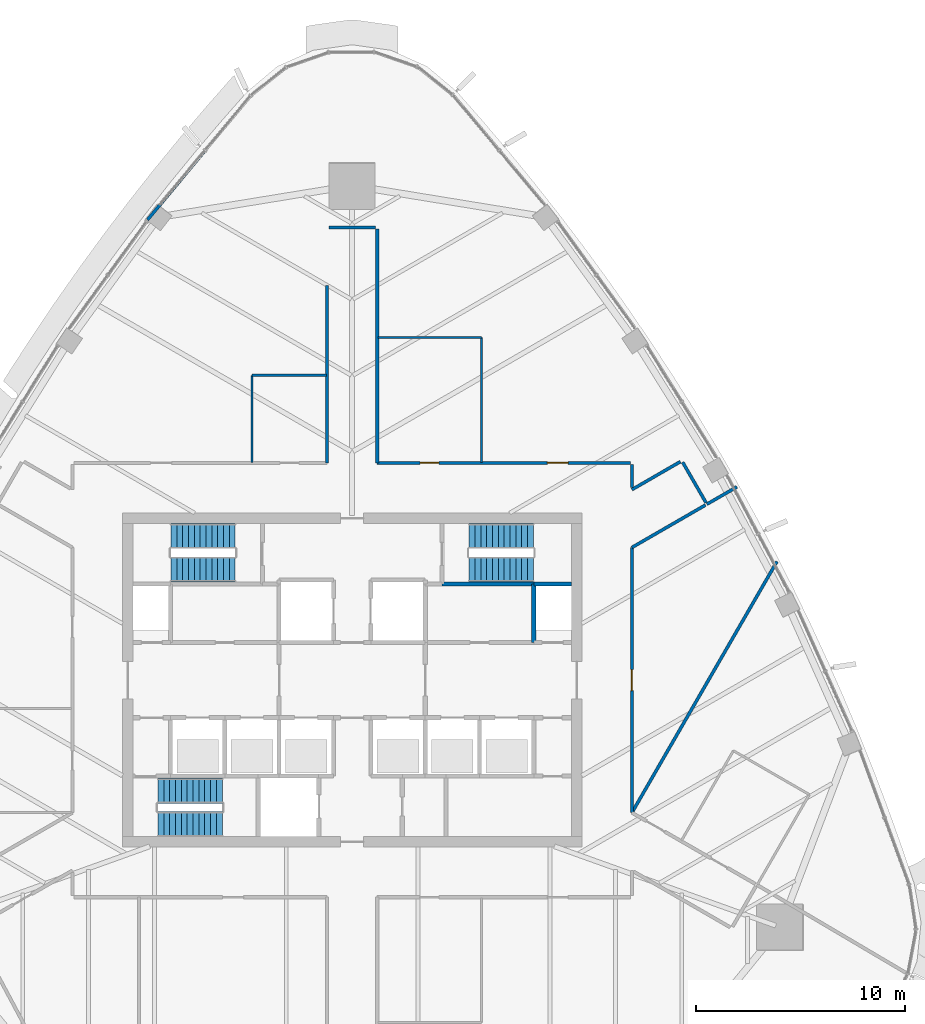
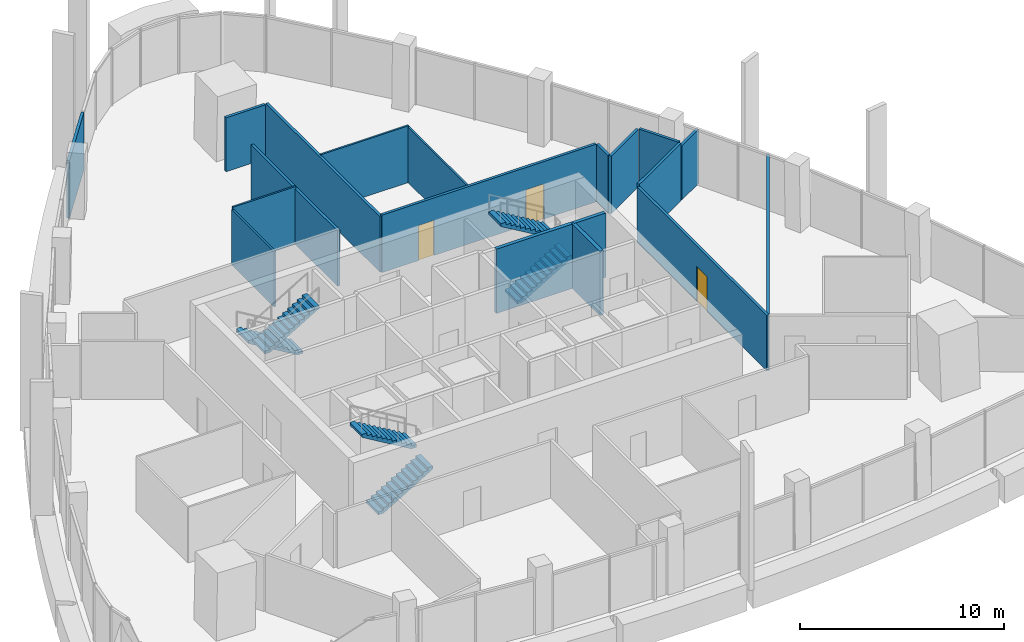
# One storey, part 11 of 19: 19 walls, 6 stair flights, 3 doors, 3 openings, 3 elements without a shape of their own.
"""IFC4 building model written with IfcOpenShell, lengths in metres."""

from ifc_helpers import new_model, si_unit, direction, frame, frame_2d, origin, place, context, subcontext, project, spatial, polyline, rectangle, outline, extrude, material, layer, layer_set, type_object, element, fill, aggregate, save


model = new_model("IFC4")

# Units and contexts
model_context = context("Model", 3, precision=1e-05, world=origin(), true_north=direction((0.0, 1.0)))
body_context = subcontext(model_context, "Body", "Model", "MODEL_VIEW")
ifc_project = project(units=[si_unit("LENGTHUNIT", "METRE"), si_unit("AREAUNIT", "SQUARE_METRE"), si_unit("VOLUMEUNIT", "CUBIC_METRE"), si_unit("PLANEANGLEUNIT", "RADIAN"), si_unit("MASSUNIT", "GRAM", prefix="KILO")], contexts=[model_context])

# Site, building, storey
site_placement = place(None, origin())
site = spatial("IfcSite", under=ifc_project, at=site_placement, CompositionType="ELEMENT")
building_placement = place(site_placement, origin())
building = spatial("IfcBuilding", under=site, at=building_placement, Name="Sierra Prisma Convention Tower", CompositionType="ELEMENT")
storey_placement = place(building_placement, frame((0.0, 0.0, 295.0)))
storey = spatial("IfcBuildingStorey", under=building, at=storey_placement, Name="L67", CompositionType="ELEMENT", Elevation=295.0)

# Walls
ifc_material_1 = material(Name="Gypsum board partition", Category="gypsum")
ifc_layer_1 = layer(ifc_material_1, 0.10009765625)
ifc_layer_set_1 = layer_set([ifc_layer_1], Name="Bathroom partition 100")
wall_type_1 = type_object("IfcWallType", Name="Bathroom partition 100", PredefinedType="PARTITIONING", material=ifc_layer_set_1)
wall_1_placement = place(storey_placement, frame((-4.800048828125, 10.429931640625, 0.0), z_axis=(0.0, 0.0, 1.0), x_axis=(0.0, 1.0, 0.0)))
element("IfcWall", 1, at=wall_1_placement, inside=storey, type_object=wall_type_1, Name="Partition L67 bath 4", PredefinedType="PARTITIONING", context=body_context, shape_type="SweptSolid", body=[
    extrude(rectangle(XDim=4.170166015625, YDim=0.10009765625, at=frame_2d((2.0849609375, 0.0))), origin(), (0.0, 0.0, 1.0), 3.31689453125),
])
wall_2_placement = place(storey_placement, frame((-4.800048828125, 14.60009765625, 0.0), z_axis=(0.0, 0.0, 1.0), x_axis=(1.0, 0.0, 0.0)))
element("IfcWall", 2, at=wall_2_placement, inside=storey, type_object=wall_type_1, Name="Partition L67 bath 5", PredefinedType="PARTITIONING", context=body_context, shape_type="SweptSolid", body=[
    extrude(rectangle(XDim=3.570068359375, YDim=0.10009765625, at=frame_2d((1.78515625, 0.0))), origin(), (0.0, 0.0, 1.0), 3.449951171875),
])
wall_3_placement = place(storey_placement, frame((1.22998046875, 16.39990234375, 0.0), z_axis=(0.0, 0.0, 1.0), x_axis=(1.0, 0.0, 0.0)))
element("IfcWall", 3, at=wall_3_placement, inside=storey, type_object=wall_type_1, Name="Partition L67 bath 8", PredefinedType="PARTITIONING", context=body_context, shape_type="SweptSolid", body=[
    extrude(rectangle(XDim=4.969970703125, YDim=0.10009765625, at=frame_2d((2.48486328125, 0.0))), origin(), (0.0, 0.0, 1.0), 3.39306640625),
])
wall_4_placement = place(storey_placement, frame((6.199951171875, 16.39990234375, 0.0), z_axis=(0.0, 0.0, 1.0), x_axis=(0.0, -1.0, 0.0)))
element("IfcWall", 4, at=wall_4_placement, inside=storey, type_object=wall_type_1, Name="Partition L67 bath 9", PredefinedType="PARTITIONING", context=body_context, shape_type="SweptSolid", body=[
    extrude(rectangle(XDim=5.969970703125, YDim=0.10009765625, at=frame_2d((2.98486328125, 0.0))), origin(), (0.0, 0.0, 1.0), 3.31689453125),
])
ifc_material_2 = material(Name="Concrete C30/37", Category="concrete")
ifc_layer_2 = layer(ifc_material_2, 0.199951171875)
ifc_layer_set_2 = layer_set([ifc_layer_2], Name="Core wall RC 200 C30/37")
wall_type_2 = type_object("IfcWallType", Name="Core wall RC 200 C30/37", PredefinedType="SOLIDWALL", material=ifc_layer_set_2)
wall_5_placement = place(storey_placement, frame((8.699951171875, 4.60009765625, 0.0), z_axis=(0.0, 0.0, 1.0), x_axis=(-1.0, 0.0, 0.0)))
element("IfcWall", 5, at=wall_5_placement, inside=storey, type_object=wall_type_2, Name="Core wall L67 48", PredefinedType="SOLIDWALL", context=body_context, shape_type="SweptSolid", body=[
    extrude(rectangle(XDim=4.39990234375, YDim=0.199951171875, at=frame_2d((2.199951171875, 0.0))), origin(), (0.0, 0.0, 1.0), 3.85009765625),
])
wall_6_placement = place(storey_placement, frame((8.699951171875, 1.800048828125, 0.0), z_axis=(0.0, 0.0, 1.0), x_axis=(0.0, 1.0, 0.0)))
element("IfcWall", 6, at=wall_6_placement, inside=storey, type_object=wall_type_2, Name="Core wall L67 59", PredefinedType="SOLIDWALL", context=body_context, shape_type="SweptSolid", body=[
    extrude(rectangle(XDim=2.800048828125, YDim=0.199951171875, at=frame_2d((1.39990234375, 0.0))), origin(), (0.0, 0.0, 1.0), 3.85009765625),
])
wall_7_placement = place(storey_placement, frame((10.5, 4.60009765625, 0.0), z_axis=(0.0, 0.0, 1.0), x_axis=(-1.0, 0.0, 0.0)))
element("IfcWall", 7, at=wall_7_placement, inside=storey, type_object=wall_type_2, Name="Core wall L67 60", PredefinedType="SOLIDWALL", context=body_context, shape_type="SweptSolid", body=[
    extrude(rectangle(XDim=1.800048828125, YDim=0.199951171875, at=frame_2d((0.89990234375, 0.0))), origin(), (0.0, 0.0, 1.0), 3.85009765625),
])
ifc_material_3 = material(Name="Gypsum board partition", Category="gypsum")
ifc_layer_3 = layer(ifc_material_3, 0.14990234375)
ifc_layer_set_3 = layer_set([ifc_layer_3], Name="Corridor wall 150 gypsum EI 60")
wall_type_3 = type_object("IfcWallType", Name="Corridor wall 150 gypsum EI 60", PredefinedType="PARTITIONING", material=ifc_layer_set_3)
wall_8_placement = place(storey_placement, frame((-1.199951171875, 18.89990234375, 0.0), z_axis=(0.0, 0.0, 1.0), x_axis=(0.0, -1.0, 0.0)))
element("IfcWall", 8, at=wall_8_placement, inside=storey, type_object=wall_type_3, Name="Partition L67 corr 12", PredefinedType="PARTITIONING", context=body_context, shape_type="SweptSolid", body=[
    extrude(rectangle(XDim=8.5, YDim=0.14990234375, at=frame_2d((4.25, 0.0))), origin(), (0.0, 0.0, 1.0), 3.31689453125),
])
wall_9_placement = place(storey_placement, frame((1.1201171875, 21.68408203125, 0.0), z_axis=(0.0, 0.0, 1.0), x_axis=(-1.0, 0.0, 0.0)))
element("IfcWall", 9, at=wall_9_placement, inside=storey, type_object=wall_type_3, Name="Partition L67 corr 15", PredefinedType="PARTITIONING", context=body_context, shape_type="SweptSolid", body=[
    extrude(rectangle(XDim=2.240234375, YDim=0.14990234375, at=frame_2d((1.1201171875, 0.0))), origin(), (0.0, 0.0, 1.0), 3.23291015625),
])

# Wall, openings, doors
wall_10_placement = place(storey_placement, frame((13.320068359375, 10.39990234375, 0.0), z_axis=(0.0, 0.0, 1.0), x_axis=(-1.0, 0.0, 0.0)))
wall_10 = element("IfcWall", 10, at=wall_10_placement, inside=storey, type_object=wall_type_3, Name="Partition L67 corr 18", PredefinedType="PARTITIONING", context=body_context, shape_type="SweptSolid", body=[
    extrude(rectangle(XDim=12.1201171875, YDim=0.14990234375, at=frame_2d((6.06005859375, 0.0))), origin(), (0.0, 0.0, 1.0), 3.443115234375),
])
opening_1_placement = place(wall_10_placement, frame((9.169921875, 0.0, 0.0)))
opening_1 = element("IfcOpeningElement", 11, at=opening_1_placement, cuts=wall_10, Name="Opening L67-D026", PredefinedType="OPENING", context=body_context, shape_type="SweptSolid", body=[
    extrude(rectangle(XDim=0.89990234375, YDim=2.10009765625, at=frame_2d((0.449951171875, 1.050048828125))), frame((0.0, 0.074951171875, 0.0), z_axis=(0.0, -1.0, 0.0), x_axis=(1.0, 0.0, 0.0)), (0.0, 0.0, 1.0), 0.14990234375),
])
opening_2_placement = place(wall_10_placement, frame((2.969970703125, 0.0, 0.0)))
opening_2 = element("IfcOpeningElement", 12, at=opening_2_placement, cuts=wall_10, Name="Opening L67-D027", PredefinedType="OPENING", context=body_context, shape_type="SweptSolid", body=[
    extrude(rectangle(XDim=1.0, YDim=2.10009765625, at=frame_2d((0.5, 1.050048828125))), frame((0.0, 0.074951171875, 0.0), z_axis=(0.0, -1.0, 0.0), x_axis=(1.0, 0.0, 0.0)), (0.0, 0.0, 1.0), 0.14990234375),
])
ifc_material_4 = material(Name="Steel fire door leaf", Category="steel")
door_type_1 = type_object("IfcDoorType", Name="Door 1000x2100 FD30S", OperationType="SINGLE_SWING_LEFT", PredefinedType="DOOR", material=ifc_material_4)
door_1_placement = place(opening_2_placement, origin())
door_1 = element("IfcDoor", 13, at=door_1_placement, inside=storey, type_object=door_type_1, Name="Door L67 3", OperationType="SINGLE_SWING_LEFT", OverallHeight=2.10009765625, OverallWidth=1.0, PredefinedType="DOOR", context=body_context, shape_type="SweptSolid", body=[
    extrude(rectangle(XDim=1.0, YDim=2.10009765625, at=frame_2d((0.5, 1.050048828125))), frame((0.0, 0.02490234375, 0.0), z_axis=(0.0, -1.0, 0.0), x_axis=(1.0, 0.0, 0.0)), (0.0, 0.0, 1.0), 0.050048828125),
])
fill(opening_2, door_1)
ifc_material_5 = material(Name="Steel fire door leaf", Category="steel")
door_type_2 = type_object("IfcDoorType", Name="Door 900x2100 FD30S", OperationType="SINGLE_SWING_LEFT", PredefinedType="DOOR", material=ifc_material_5)
door_2_placement = place(opening_1_placement, origin())
door_2 = element("IfcDoor", 14, at=door_2_placement, inside=storey, type_object=door_type_2, Name="Door L67 2", OperationType="SINGLE_SWING_RIGHT", OverallHeight=2.10009765625, OverallWidth=0.89990234375, PredefinedType="DOOR", context=body_context, shape_type="SweptSolid", body=[
    extrude(rectangle(XDim=0.89990234375, YDim=2.10009765625, at=frame_2d((0.449951171875, 1.050048828125))), frame((0.0, 0.02490234375, 0.0), z_axis=(0.0, -1.0, 0.0), x_axis=(1.0, 0.0, 0.0)), (0.0, 0.0, 1.0), 0.050048828125),
])
fill(opening_1, door_2)

# Wall
wall_11_placement = place(storey_placement, frame((1.199951171875, 10.39990234375, 0.0), z_axis=(0.0, 0.0, 1.0), x_axis=(0.0, 1.0, 0.0)))
element("IfcWall", 15, at=wall_11_placement, inside=storey, type_object=wall_type_3, Name="Partition L67 corr 19", PredefinedType="PARTITIONING", context=body_context, shape_type="SweptSolid", body=[
    extrude(rectangle(XDim=11.204345703125, YDim=0.14990234375, at=frame_2d((5.60205078125, 0.0))), origin(), (0.0, 0.0, 1.0), 3.31689453125),
])

# Wall, opening, door
wall_12_placement = place(storey_placement, frame((13.39990234375, -6.350830078125, 0.0), z_axis=(0.0, 0.0, 1.0), x_axis=(0.0, 1.0, 0.0)))
wall_12 = element("IfcWall", 16, at=wall_12_placement, inside=storey, type_object=wall_type_3, Name="Partition L67 corr 22", PredefinedType="PARTITIONING", context=body_context, shape_type="SweptSolid", body=[
    extrude(rectangle(XDim=12.70166015625, YDim=0.14990234375, at=frame_2d((6.350830078125, 0.0))), origin(), (0.0, 0.0, 1.0), 3.31689453125),
])
opening_3_placement = place(wall_12_placement, frame((5.850830078125, 0.0, 0.0)))
opening_3 = element("IfcOpeningElement", 17, at=opening_3_placement, cuts=wall_12, Name="Opening L67-D025", PredefinedType="OPENING", context=body_context, shape_type="SweptSolid", body=[
    extrude(rectangle(XDim=1.0, YDim=2.10009765625, at=frame_2d((0.5, 1.050048828125))), frame((0.0, 0.074951171875, 0.0), z_axis=(0.0, -1.0, 0.0), x_axis=(1.0, 0.0, 0.0)), (0.0, 0.0, 1.0), 0.14990234375),
])
door_3_placement = place(opening_3_placement, origin())
door_3 = element("IfcDoor", 18, at=door_3_placement, inside=storey, type_object=door_type_1, Name="Door L67 1", OperationType="SINGLE_SWING_RIGHT", OverallHeight=2.10009765625, OverallWidth=1.0, PredefinedType="DOOR", context=body_context, shape_type="SweptSolid", body=[
    extrude(rectangle(XDim=1.0, YDim=2.10009765625, at=frame_2d((0.5, 1.050048828125))), frame((0.0, 0.02490234375, 0.0), z_axis=(0.0, -1.0, 0.0), x_axis=(1.0, 0.0, 0.0)), (0.0, 0.0, 1.0), 0.050048828125),
])
fill(opening_3, door_3)

# Walls
wall_13_placement = place(storey_placement, frame((13.39990234375, 6.350830078125, 0.0), z_axis=(0.0, 0.0, 1.0), x_axis=(0.866036641328, 0.499980535498, 0.0)))
element("IfcWall", 19, at=wall_13_placement, inside=storey, type_object=wall_type_3, Name="Partition L67 corr 23", PredefinedType="PARTITIONING", context=body_context, shape_type="SweptSolid", body=[
    extrude(rectangle(XDim=4.067138671875, YDim=0.14990234375, at=frame_2d((2.03369140625, 0.0))), origin(), (0.0, 0.0, 1.0), 3.449951171875),
])
wall_14_placement = place(storey_placement, frame((15.72216796875, 10.462890625, 0.0), z_axis=(0.0, 0.0, 1.0), x_axis=(-0.866015774862, -0.500016677412, 0.0)))
element("IfcWall", 20, at=wall_14_placement, inside=storey, type_object=wall_type_3, Name="Partition L67 corr 25", PredefinedType="PARTITIONING", context=body_context, shape_type="SweptSolid", body=[
    extrude(rectangle(XDim=2.681640625, YDim=0.14990234375, at=frame_2d((1.3408203125, 0.0))), origin(), (0.0, 0.0, 1.0), 3.449951171875),
])
wall_15_placement = place(storey_placement, frame((13.39990234375, 9.213623046875, 0.0), z_axis=(0.0, 0.0, 1.0), x_axis=(0.0, 1.0, 0.0)))
element("IfcWall", 21, at=wall_15_placement, inside=storey, type_object=wall_type_3, Name="Partition L67 corr 26", PredefinedType="PARTITIONING", context=body_context, shape_type="SweptSolid", body=[
    extrude(rectangle(XDim=1.1064453125, YDim=0.14990234375, at=frame_2d((0.55322265625, 0.0))), origin(), (0.0, 0.0, 1.0), 3.449951171875),
])
wall_16_placement = place(storey_placement, frame((16.951416015625, 8.49365234375, 0.0), z_axis=(0.0, 0.0, 1.0), x_axis=(-0.500030632641, 0.866007717299, 0.0)))
element("IfcWall", 22, at=wall_16_placement, inside=storey, type_object=wall_type_3, Name="Partition L67 corr 27", PredefinedType="PARTITIONING", context=body_context, shape_type="SweptSolid", body=[
    extrude(rectangle(XDim=2.239990234375, YDim=0.14990234375, at=frame_2d((1.1201171875, 0.0))), origin(), (0.0, 0.0, 1.0), 3.449951171875),
])
ifc_material_6 = material(Name="Gypsum board partition", Category="gypsum")
ifc_layer_4 = layer(ifc_material_6, 0.14990234375)
ifc_layer_set_4 = layer_set([ifc_layer_4], Name="Party wall 150 gypsum")
wall_type_4 = type_object("IfcWallType", Name="Party wall 150 gypsum", PredefinedType="PARTITIONING", material=ifc_layer_set_4)
wall_17_placement = place(storey_placement, frame((-9.797119140625, 22.046142578125, 0.0), z_axis=(0.0, 0.0, 1.0), x_axis=(0.638321655385, 0.769769747566, 0.0)))
element("IfcWall", 23, at=wall_17_placement, inside=storey, type_object=wall_type_4, Name="Partition L67 party 6", PredefinedType="PARTITIONING", context=body_context, shape_type="SweptSolid", body=[
    extrude(rectangle(XDim=4.2197265625, YDim=0.14990234375, at=frame_2d((2.10986328125, 0.0))), origin(), (0.0, 0.0, 1.0), 3.449951171875),
])
wall_18_placement = place(storey_placement, frame((20.34521484375, 5.678466796875, 0.0), z_axis=(0.0, 0.0, 1.0), x_axis=(-0.500010513267, -0.866019333862, 0.0)))
element("IfcWall", 24, at=wall_18_placement, inside=storey, type_object=wall_type_4, Name="Partition L67 party 8", PredefinedType="PARTITIONING", context=body_context, shape_type="SweptSolid", body=[
    extrude(rectangle(XDim=13.890380859375, YDim=0.14990234375, at=frame_2d((6.9453125, 0.0))), origin(), (0.0, 0.0, 1.0), 3.23388671875),
])
wall_19_placement = place(storey_placement, frame((16.991455078125, 8.42431640625, 0.0), z_axis=(0.0, 0.0, 1.0), x_axis=(0.866011236992, 0.500024536802, 0.0)))
element("IfcWall", 25, at=wall_19_placement, inside=storey, type_object=wall_type_4, Name="Partition L67 party 9", PredefinedType="PARTITIONING", context=body_context, shape_type="SweptSolid", body=[
    extrude(rectangle(XDim=1.65576171875, YDim=0.14990234375, at=frame_2d((0.827880859375, 0.0))), origin(), (0.0, 0.0, 1.0), 3.23388671875),
])

# Stair, stair flights
ifc_material_7 = material(Name="Concrete C30/37", Category="concrete")
stair_type = type_object("IfcStairType", Name="Stair dog-leg 1200 RC", PredefinedType="HALF_TURN_STAIR", material=ifc_material_7)
stair_1_placement = place(storey_placement, origin())
stair_1 = element("IfcStair", 26, at=stair_1_placement, inside=storey, type_object=stair_type, Name="L67 S1", PredefinedType="HALF_TURN_STAIR")
ifc_material_8 = material(Name="Concrete C30/37", Category="concrete")
stair_flight_type = type_object("IfcStairFlightType", Name="Stair flight RC 1200", PredefinedType="STRAIGHT", material=ifc_material_8)
stair_flight_1_placement = place(storey_placement, frame((-9.300048828125, -6.89990234375, 0.0), z_axis=(0.0, 0.0, 1.0), x_axis=(1.0, 0.0, 0.0)))
stair_flight_1 = element("IfcStairFlight", 27, at=stair_flight_1_placement, type_object=stair_flight_type, Name="S1 flight 1", NumberOfRisers=12, NumberOfTreads=11, PredefinedType="STRAIGHT", RiserHeight=0.166666667, TreadLength=0.28, context=body_context, shape_type="SweptSolid", body=[
    extrude(outline(polyline([(0.0, 0.0), (0.0, 0.166748046875), (0.280029296875, 0.166748046875), (0.280029296875, 0.333251953125), (0.56005859375, 0.333251953125), (0.56005859375, 0.5), (0.840087890625, 0.5), (0.840087890625, 0.666748046875), (1.1201171875, 0.666748046875), (1.1201171875, 0.833251953125), (1.39990234375, 0.833251953125), (1.39990234375, 1.0), (1.679931640625, 1.0), (1.679931640625, 1.166748046875), (1.9599609375, 1.166748046875), (1.9599609375, 1.333251953125), (2.239990234375, 1.333251953125), (2.239990234375, 1.5), (2.52001953125, 1.5), (2.52001953125, 1.666748046875), (2.800048828125, 1.666748046875), (2.800048828125, 1.833251953125), (3.080078125, 1.833251953125), (3.080078125, 2.0), (3.080078125, 1.658935546875), (0.29296875, 0.0), (0.0, 0.0)])), frame((0.0, 0.60009765625, 0.0), z_axis=(0.0, -1.0, 0.0), x_axis=(1.0, 0.0, 0.0)), (0.0, 0.0, 1.0), 1.199951171875),
])
stair_flight_2_placement = place(storey_placement, frame((-6.219970703125, -5.300048828125, 2.0), z_axis=(0.0, 0.0, 1.0), x_axis=(-1.0, 0.0, 0.0)))
stair_flight_2 = element("IfcStairFlight", 28, at=stair_flight_2_placement, type_object=stair_flight_type, Name="S1 flight 2", NumberOfRisers=12, NumberOfTreads=11, PredefinedType="STRAIGHT", RiserHeight=0.166666667, TreadLength=0.28, context=body_context, shape_type="SweptSolid", body=[
    extrude(outline(polyline([(0.0, 0.0), (0.0, 0.166748046875), (0.280029296875, 0.166748046875), (0.280029296875, 0.333251953125), (0.56005859375, 0.333251953125), (0.56005859375, 0.5), (0.840087890625, 0.5), (0.840087890625, 0.666748046875), (1.1201171875, 0.666748046875), (1.1201171875, 0.833251953125), (1.39990234375, 0.833251953125), (1.39990234375, 1.0), (1.679931640625, 1.0), (1.679931640625, 1.166748046875), (1.9599609375, 1.166748046875), (1.9599609375, 1.333251953125), (2.239990234375, 1.333251953125), (2.239990234375, 1.5), (2.52001953125, 1.5), (2.52001953125, 1.666748046875), (2.800048828125, 1.666748046875), (2.800048828125, 1.833251953125), (3.080078125, 1.833251953125), (3.080078125, 2.0), (3.080078125, 1.658935546875), (0.29296875, 0.0), (0.0, 0.0)])), frame((0.0, 0.60009765625, 0.0), z_axis=(0.0, -1.0, 0.0), x_axis=(1.0, 0.0, 0.0)), (0.0, 0.0, 1.0), 1.199951171875),
])
aggregate(stair_1, [stair_flight_1, stair_flight_2])

stair_2_placement = place(storey_placement, origin())
stair_2 = element("IfcStair", 29, at=stair_2_placement, inside=storey, type_object=stair_type, Name="L67 S3", PredefinedType="HALF_TURN_STAIR")
stair_flight_3_placement = place(storey_placement, frame((-5.60009765625, 6.89990234375, 0.0), z_axis=(0.0, 0.0, 1.0), x_axis=(-1.0, 0.0, 0.0)))
stair_flight_3 = element("IfcStairFlight", 30, at=stair_flight_3_placement, type_object=stair_flight_type, Name="S3 flight 1", NumberOfRisers=12, NumberOfTreads=11, PredefinedType="STRAIGHT", RiserHeight=0.166666667, TreadLength=0.28, context=body_context, shape_type="SweptSolid", body=[
    extrude(outline(polyline([(0.0, 0.0), (0.0, 0.166748046875), (0.280029296875, 0.166748046875), (0.280029296875, 0.333251953125), (0.56005859375, 0.333251953125), (0.56005859375, 0.5), (0.840087890625, 0.5), (0.840087890625, 0.666748046875), (1.1201171875, 0.666748046875), (1.1201171875, 0.833251953125), (1.39990234375, 0.833251953125), (1.39990234375, 1.0), (1.679931640625, 1.0), (1.679931640625, 1.166748046875), (1.9599609375, 1.166748046875), (1.9599609375, 1.333251953125), (2.239990234375, 1.333251953125), (2.239990234375, 1.5), (2.52001953125, 1.5), (2.52001953125, 1.666748046875), (2.800048828125, 1.666748046875), (2.800048828125, 1.833251953125), (3.080078125, 1.833251953125), (3.080078125, 2.0), (3.080078125, 1.658935546875), (0.29296875, 0.0), (0.0, 0.0)])), frame((0.0, 0.60009765625, 0.0), z_axis=(0.0, -1.0, 0.0), x_axis=(1.0, 0.0, 0.0)), (0.0, 0.0, 1.0), 1.199951171875),
])
stair_flight_4_placement = place(storey_placement, frame((-8.679931640625, 5.300048828125, 2.0), z_axis=(0.0, 0.0, 1.0), x_axis=(1.0, 0.0, 0.0)))
stair_flight_4 = element("IfcStairFlight", 31, at=stair_flight_4_placement, type_object=stair_flight_type, Name="S3 flight 2", NumberOfRisers=12, NumberOfTreads=11, PredefinedType="STRAIGHT", RiserHeight=0.166666667, TreadLength=0.28, context=body_context, shape_type="SweptSolid", body=[
    extrude(outline(polyline([(0.0, 0.0), (0.0, 0.166748046875), (0.280029296875, 0.166748046875), (0.280029296875, 0.333251953125), (0.56005859375, 0.333251953125), (0.56005859375, 0.5), (0.840087890625, 0.5), (0.840087890625, 0.666748046875), (1.1201171875, 0.666748046875), (1.1201171875, 0.833251953125), (1.39990234375, 0.833251953125), (1.39990234375, 1.0), (1.679931640625, 1.0), (1.679931640625, 1.166748046875), (1.9599609375, 1.166748046875), (1.9599609375, 1.333251953125), (2.239990234375, 1.333251953125), (2.239990234375, 1.5), (2.52001953125, 1.5), (2.52001953125, 1.666748046875), (2.800048828125, 1.666748046875), (2.800048828125, 1.833251953125), (3.080078125, 1.833251953125), (3.080078125, 2.0), (3.080078125, 1.658935546875), (0.29296875, 0.0), (0.0, 0.0)])), frame((0.0, 0.60009765625, 0.0), z_axis=(0.0, -1.0, 0.0), x_axis=(1.0, 0.0, 0.0)), (0.0, 0.0, 1.0), 1.199951171875),
])
aggregate(stair_2, [stair_flight_3, stair_flight_4])

stair_3_placement = place(storey_placement, origin())
stair_3 = element("IfcStair", 32, at=stair_3_placement, inside=storey, type_object=stair_type, Name="L67 S4", PredefinedType="HALF_TURN_STAIR")
stair_flight_5_placement = place(storey_placement, frame((5.60009765625, 5.300048828125, 0.0), z_axis=(0.0, 0.0, 1.0), x_axis=(1.0, 0.0, 0.0)))
stair_flight_5 = element("IfcStairFlight", 33, at=stair_flight_5_placement, type_object=stair_flight_type, Name="S4 flight 1", NumberOfRisers=12, NumberOfTreads=11, PredefinedType="STRAIGHT", RiserHeight=0.166666667, TreadLength=0.28, context=body_context, shape_type="SweptSolid", body=[
    extrude(outline(polyline([(0.0, 0.0), (0.0, 0.166748046875), (0.280029296875, 0.166748046875), (0.280029296875, 0.333251953125), (0.56005859375, 0.333251953125), (0.56005859375, 0.5), (0.840087890625, 0.5), (0.840087890625, 0.666748046875), (1.1201171875, 0.666748046875), (1.1201171875, 0.833251953125), (1.39990234375, 0.833251953125), (1.39990234375, 1.0), (1.679931640625, 1.0), (1.679931640625, 1.166748046875), (1.9599609375, 1.166748046875), (1.9599609375, 1.333251953125), (2.239990234375, 1.333251953125), (2.239990234375, 1.5), (2.52001953125, 1.5), (2.52001953125, 1.666748046875), (2.800048828125, 1.666748046875), (2.800048828125, 1.833251953125), (3.080078125, 1.833251953125), (3.080078125, 2.0), (3.080078125, 1.658935546875), (0.29296875, 0.0), (0.0, 0.0)])), frame((0.0, 0.60009765625, 0.0), z_axis=(0.0, -1.0, 0.0), x_axis=(1.0, 0.0, 0.0)), (0.0, 0.0, 1.0), 1.199951171875),
])
stair_flight_6_placement = place(storey_placement, frame((8.679931640625, 6.89990234375, 2.0), z_axis=(0.0, 0.0, 1.0), x_axis=(-1.0, 0.0, 0.0)))
stair_flight_6 = element("IfcStairFlight", 34, at=stair_flight_6_placement, type_object=stair_flight_type, Name="S4 flight 2", NumberOfRisers=12, NumberOfTreads=11, PredefinedType="STRAIGHT", RiserHeight=0.166666667, TreadLength=0.28, context=body_context, shape_type="SweptSolid", body=[
    extrude(outline(polyline([(0.0, 0.0), (0.0, 0.166748046875), (0.280029296875, 0.166748046875), (0.280029296875, 0.333251953125), (0.56005859375, 0.333251953125), (0.56005859375, 0.5), (0.840087890625, 0.5), (0.840087890625, 0.666748046875), (1.1201171875, 0.666748046875), (1.1201171875, 0.833251953125), (1.39990234375, 0.833251953125), (1.39990234375, 1.0), (1.679931640625, 1.0), (1.679931640625, 1.166748046875), (1.9599609375, 1.166748046875), (1.9599609375, 1.333251953125), (2.239990234375, 1.333251953125), (2.239990234375, 1.5), (2.52001953125, 1.5), (2.52001953125, 1.666748046875), (2.800048828125, 1.666748046875), (2.800048828125, 1.833251953125), (3.080078125, 1.833251953125), (3.080078125, 2.0), (3.080078125, 1.658935546875), (0.29296875, 0.0), (0.0, 0.0)])), frame((0.0, 0.60009765625, 0.0), z_axis=(0.0, -1.0, 0.0), x_axis=(1.0, 0.0, 0.0)), (0.0, 0.0, 1.0), 1.199951171875),
])
aggregate(stair_3, [stair_flight_5, stair_flight_6])

save(model, "model.ifc")
